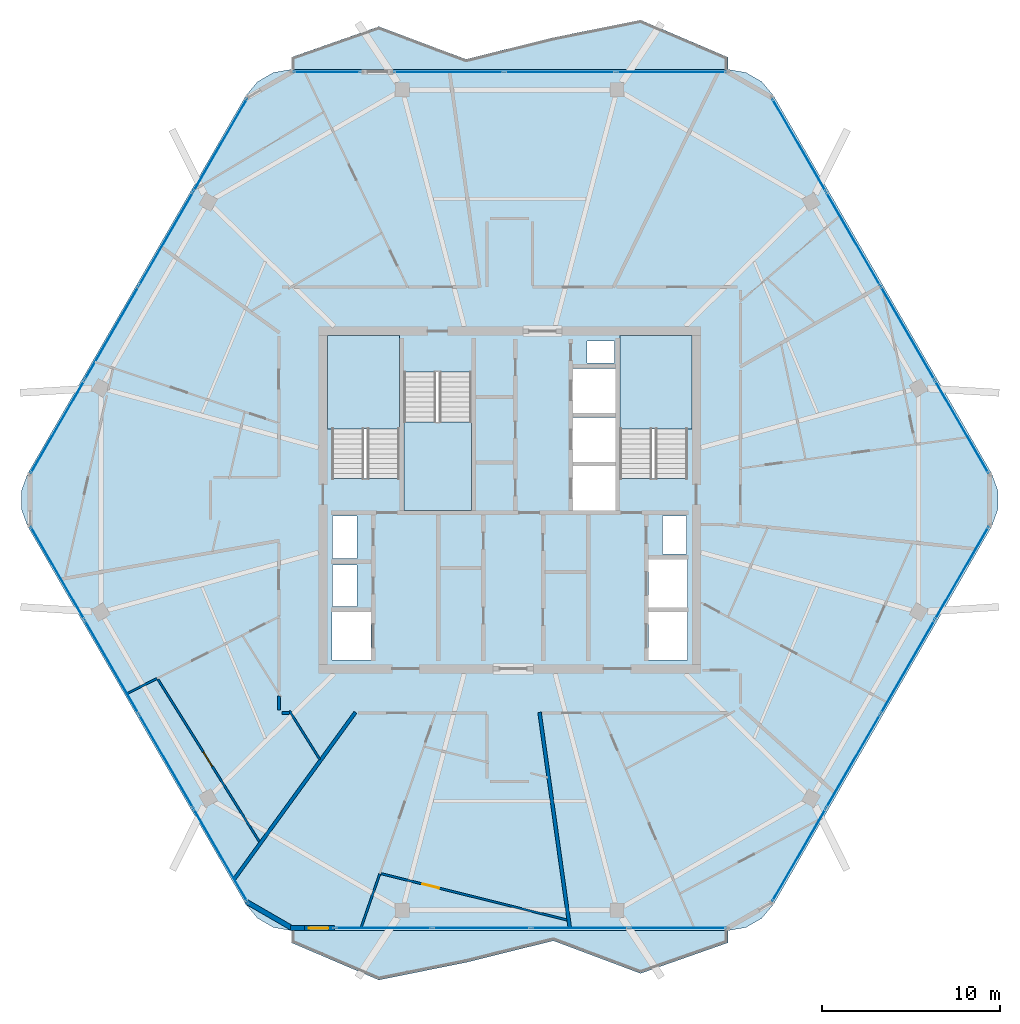
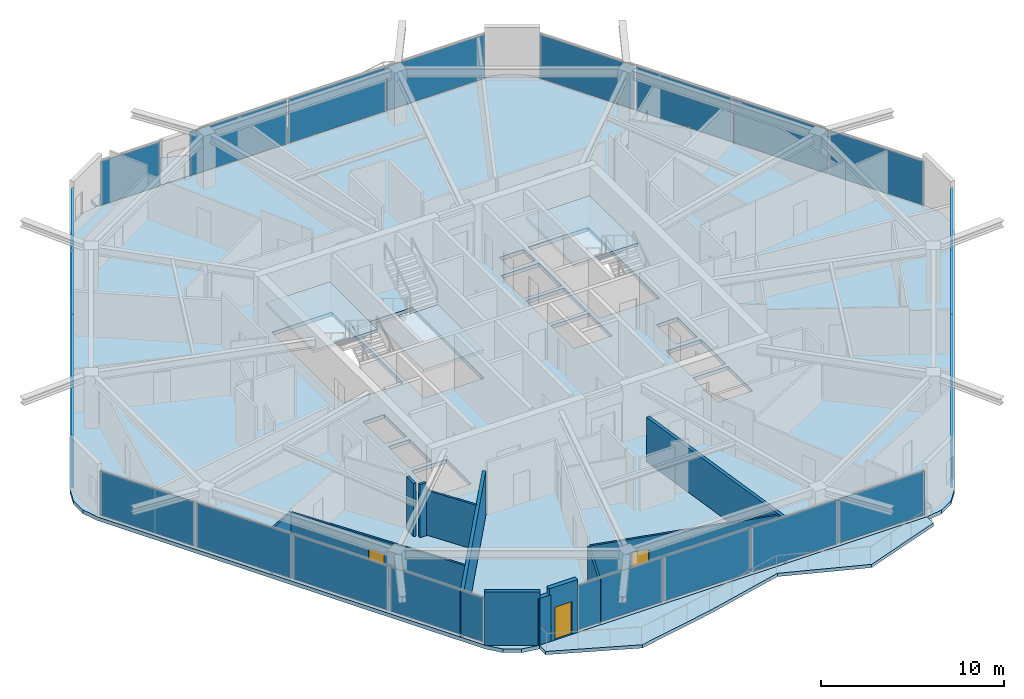
# One storey, part 13 of 20: 24 plates, 12 walls, 6 slabs, 3 doors, 3 openings, 10 elements without a shape of their own.
"""IFC4 building model written with IfcOpenShell, lengths in metres."""

from ifc_helpers import new_model, si_unit, direction, frame, frame_2d, origin, origin_2d, place, context, subcontext, project, spatial, polyline, rectangle, outline, extrude, material, layer, layer_set, type_object, element, fill, aggregate, save


model = new_model("IFC4")

# Units and contexts
model_context = context("Model", 3, precision=1e-05, world=origin(), true_north=direction((0.0, 1.0)))
body_context = subcontext(model_context, "Body", "Model", "MODEL_VIEW")
ifc_project = project(units=[si_unit("LENGTHUNIT", "METRE"), si_unit("AREAUNIT", "SQUARE_METRE"), si_unit("VOLUMEUNIT", "CUBIC_METRE"), si_unit("PLANEANGLEUNIT", "RADIAN"), si_unit("MASSUNIT", "GRAM", prefix="KILO")], contexts=[model_context])

# Site, building, storey
site_placement = place(None, origin())
site = spatial("IfcSite", under=ifc_project, at=site_placement, CompositionType="ELEMENT")
building_placement = place(site_placement, origin())
building = spatial("IfcBuilding", under=site, at=building_placement, Name="Zuhravey Tower", CompositionType="ELEMENT")
storey_placement = place(building_placement, frame((0.0, 0.0, 312.0)))
storey = spatial("IfcBuildingStorey", under=building, at=storey_placement, Name="L79", CompositionType="ELEMENT", Elevation=312.0)

# Slabs
ifc_material_1 = material(Name="Concrete C50/60", Category="concrete")
ifc_layer_1 = layer(ifc_material_1, 0.25)
ifc_layer_set_1 = layer_set([ifc_layer_1], Name="Concrete C50/60")
slab_type_1 = type_object("IfcSlabType", Name="Residential Acoustic Slab 250", PredefinedType="FLOOR", material=ifc_layer_set_1)
slab_1_placement = place(storey_placement, frame((0.0, 0.0, -0.25)))
element("IfcSlab", 1, at=slab_1_placement, inside=storey, type_object=slab_type_1, Name="L79 Floor Slab FS25", PredefinedType="FLOOR", context=body_context, shape_type="SweptSolid", body=[
    extrude(outline(polyline([(63.1083984375, 30.52490234375), (63.458740234375, 31.48779296875), (63.458740234375, 32.51220703125), (63.1083984375, 33.47509765625), (50.83154296875, 54.739013671875), (50.173095703125, 55.52392578125), (49.285888671875, 56.0361328125), (48.27685546875, 56.214111328125), (23.72314453125, 56.214111328125), (22.714111328125, 56.0361328125), (21.826904296875, 55.52392578125), (21.16845703125, 54.739013671875), (8.8916015625, 33.47509765625), (8.541259765625, 32.51220703125), (8.541259765625, 31.48779296875), (8.8916015625, 30.52490234375), (21.16845703125, 9.260986328125), (21.826904296875, 8.47607421875), (22.714111328125, 7.9638671875), (23.72314453125, 7.785888671875), (48.27685546875, 7.785888671875), (49.285888671875, 7.9638671875), (50.173095703125, 8.47607421875), (50.83154296875, 9.260986328125), (63.1083984375, 30.52490234375)]), holes=[polyline([(29.800048828125, 33.20068359375), (29.800048828125, 41.0), (26.0, 41.0), (26.0, 33.20068359375), (29.800048828125, 33.20068359375)]), polyline([(46.0, 33.20068359375), (46.0, 41.0), (42.199951171875, 41.0), (42.199951171875, 33.20068359375), (46.0, 33.20068359375)]), polyline([(30.050048828125, 39.199462890625), (30.050048828125, 31.39990234375), (33.85009765625, 31.39990234375), (33.85009765625, 39.199462890625), (30.050048828125, 39.199462890625)]), polyline([(39.550048828125, 31.39990234375), (41.949951171875, 31.39990234375), (41.949951171875, 33.89990234375), (39.550048828125, 33.89990234375), (39.550048828125, 31.39990234375)]), polyline([(39.550048828125, 34.14990234375), (41.949951171875, 34.14990234375), (41.949951171875, 36.64990234375), (39.550048828125, 36.64990234375), (39.550048828125, 34.14990234375)]), polyline([(39.550048828125, 36.89990234375), (41.949951171875, 36.89990234375), (41.949951171875, 39.39990234375), (39.550048828125, 39.39990234375), (39.550048828125, 36.89990234375)]), polyline([(26.0, 23.0), (28.199951171875, 23.0), (28.199951171875, 25.699951171875), (26.0, 25.699951171875), (26.0, 23.0)]), polyline([(43.800048828125, 23.0), (46.0, 23.0), (46.0, 25.699951171875), (43.800048828125, 25.699951171875), (43.800048828125, 23.0)]), polyline([(43.800048828125, 25.949951171875), (46.0, 25.949951171875), (46.0, 28.64990234375), (43.800048828125, 28.64990234375), (43.800048828125, 25.949951171875)]), polyline([(26.050048828125, 26.0), (27.39990234375, 26.0), (27.39990234375, 28.35009765625), (26.050048828125, 28.35009765625), (26.050048828125, 26.0)]), polyline([(26.050048828125, 28.699951171875), (27.39990234375, 28.699951171875), (27.39990234375, 31.10009765625), (26.050048828125, 31.10009765625), (26.050048828125, 28.699951171875)]), polyline([(44.60009765625, 28.949951171875), (45.949951171875, 28.949951171875), (45.949951171875, 31.10009765625), (44.60009765625, 31.10009765625), (44.60009765625, 28.949951171875)]), polyline([(40.35009765625, 39.699951171875), (41.89990234375, 39.699951171875), (41.89990234375, 40.949951171875), (40.35009765625, 40.949951171875), (40.35009765625, 39.699951171875)])]), origin(), (0.0, 0.0, 1.0), 0.25),
])
ifc_material_2 = material(Name="Concrete C40/50", Category="concrete")
ifc_layer_2 = layer(ifc_material_2, 0.219970703125)
ifc_layer_set_2 = layer_set([ifc_layer_2], Name="Concrete C40/50")
slab_type_2 = type_object("IfcSlabType", Name="Sinusoidal Residential Wave Balcony 220", PredefinedType="FLOOR", material=ifc_layer_set_2)
slab_2_placement = place(storey_placement, frame((0.0, 0.0, -0.219970703125)))
element("IfcSlab", 2, at=slab_2_placement, inside=storey, type_object=slab_type_2, Name="L79 Face 2 Wave Balcony WB22", PredefinedType="FLOOR", context=body_context, shape_type="SweptSolid", body=[
    extrude(outline(polyline([(48.268310546875, 56.19921875), (23.731689453125, 56.19921875), (23.731689453125, 56.899169921875), (28.63916015625, 58.62353515625), (33.54638671875, 56.7861328125), (38.45361328125, 58.0048828125), (43.36083984375, 58.9921875), (48.268310546875, 56.899169921875), (48.268310546875, 56.19921875)])), origin(), (0.0, 0.0, 1.0), 0.219970703125),
])
slab_3_placement = place(storey_placement, frame((0.0, 0.0, -0.219970703125)))
element("IfcSlab", 3, at=slab_3_placement, inside=storey, type_object=slab_type_2, Name="L79 Face 5 Wave Balcony WB22", PredefinedType="FLOOR", context=body_context, shape_type="SweptSolid", body=[
    extrude(outline(polyline([(23.731689453125, 7.80078125), (48.268310546875, 7.80078125), (48.268310546875, 7.100830078125), (43.36083984375, 5.37646484375), (38.45361328125, 7.2138671875), (33.54638671875, 5.9951171875), (28.63916015625, 5.0078125), (23.731689453125, 7.100830078125), (23.731689453125, 7.80078125)])), origin(), (0.0, 0.0, 1.0), 0.219970703125),
])

# Stair, slab
stair_type = type_object("IfcStairType", Name="Housing Storey Stair Assembly 3800", PredefinedType="HALF_TURN_STAIR", material=ifc_material_2)
stair_1_placement = place(storey_placement, origin())
stair_1 = element("IfcStair", 4, at=stair_1_placement, inside=storey, type_object=stair_type, Name="L79 Core Exit Stair ST1", PredefinedType="HALF_TURN_STAIR")
ifc_layer_3 = layer(ifc_material_2, 0.199951171875)
ifc_layer_set_3 = layer_set([ifc_layer_3], Name="Concrete C40/50")
slab_type_3 = type_object("IfcSlabType", Name="Stair Landing Slab 200", PredefinedType="LANDING", material=ifc_layer_set_3)
slab_4_placement = place(storey_placement, frame((0.0, 0.0, 1.699951171875)))
slab_4 = element("IfcSlab", 5, at=slab_4_placement, type_object=slab_type_3, Name="ST1 landing 1", PredefinedType="LANDING", context=body_context, shape_type="SweptSolid", body=[
    extrude(outline(polyline([(29.800048828125, 36.0), (29.800048828125, 41.248046875), (25.751953125, 41.248046875), (25.751953125, 36.0), (29.800048828125, 36.0)])), origin(), (0.0, 0.0, 1.0), 0.199951171875),
])
aggregate(stair_1, [slab_4])

stair_2_placement = place(storey_placement, origin())
stair_2 = element("IfcStair", 6, at=stair_2_placement, inside=storey, type_object=stair_type, Name="L79 Core Exit Stair ST2", PredefinedType="HALF_TURN_STAIR")
slab_5_placement = place(storey_placement, frame((0.0, 0.0, 1.699951171875)))
slab_5 = element("IfcSlab", 7, at=slab_5_placement, type_object=slab_type_3, Name="ST2 landing 1", PredefinedType="LANDING", context=body_context, shape_type="SweptSolid", body=[
    extrude(outline(polyline([(46.248046875, 36.0), (46.248046875, 41.248046875), (42.199951171875, 41.248046875), (42.199951171875, 36.0), (46.248046875, 36.0)])), origin(), (0.0, 0.0, 1.0), 0.199951171875),
])
aggregate(stair_2, [slab_5])

stair_3_placement = place(storey_placement, origin())
stair_3 = element("IfcStair", 8, at=stair_3_placement, inside=storey, type_object=stair_type, Name="L79 Core Exit Stair ST3", PredefinedType="HALF_TURN_STAIR")
slab_6_placement = place(storey_placement, frame((0.0, 0.0, 1.699951171875)))
slab_6 = element("IfcSlab", 9, at=slab_6_placement, type_object=slab_type_3, Name="ST3 landing 1", PredefinedType="LANDING", context=body_context, shape_type="SweptSolid", body=[
    extrude(outline(polyline([(30.050048828125, 36.39990234375), (30.050048828125, 31.39990234375), (33.85009765625, 31.39990234375), (33.85009765625, 36.39990234375), (30.050048828125, 36.39990234375)])), origin(), (0.0, 0.0, 1.0), 0.199951171875),
])
aggregate(stair_3, [slab_6])

# Curtain wall, plates
ifc_material_3 = material(Name="Thermally broken anodised aluminium", Category="aluminium")
curtain_wall_type = type_object("IfcCurtainWallType", Name="Zone 3-4 High-Rise Curtain Wall CW4", PredefinedType="NOTDEFINED", material=ifc_material_3)
curtain_wall_1_placement = place(storey_placement, origin())
curtain_wall_1 = element("IfcCurtainWall", 10, at=curtain_wall_1_placement, inside=storey, type_object=curtain_wall_type, Name="L79 CW4 CW-L79-F6-1", PredefinedType="NOTDEFINED")
ifc_material_4 = material(Name="Triple low-E insulated vision glass", Category="glass")
ifc_layer_4 = layer(ifc_material_4, 0.0419921875)
ifc_layer_set_4 = layer_set([ifc_layer_4], Name="Triple low-E insulated vision glass")
plate_type = type_object("IfcPlateType", Name="Triple Low-E Vision Panel", PredefinedType="CURTAIN_PANEL", material=ifc_layer_set_4)
plate_1_placement = place(storey_placement, frame((61.42724609375, 27.89306640625, 0.090087890625), z_axis=(0.0, 0.0, 1.0), x_axis=(-0.49999981336, -0.866025511541, 0.0)))
plate_1 = element("IfcPlate", 11, at=plate_1_placement, type_object=plate_type, Name="CW4 panel 1.1", PredefinedType="CURTAIN_PANEL", context=body_context, shape_type="SweptSolid", body=[
    extrude(rectangle(XDim=5.984619140625, YDim=0.0419921875, at=origin_2d()), origin(), (0.0, 0.0, 1.0), 2.94189453125),
])
plate_2_placement = place(storey_placement, frame((58.378662109375, 22.61279296875, 0.090087890625), z_axis=(0.0, 0.0, 1.0), x_axis=(-0.49999981336, -0.866025511541, 0.0)))
plate_2 = element("IfcPlate", 12, at=plate_2_placement, type_object=plate_type, Name="CW4 panel 2.1", PredefinedType="CURTAIN_PANEL", context=body_context, shape_type="SweptSolid", body=[
    extrude(rectangle(XDim=6.029541015625, YDim=0.0419921875, at=origin_2d()), origin(), (0.0, 0.0, 1.0), 2.94189453125),
])
plate_3_placement = place(storey_placement, frame((55.31884765625, 17.31298828125, 0.090087890625), z_axis=(0.0, 0.0, 1.0), x_axis=(-0.49999981336, -0.866025511541, 0.0)))
plate_3 = element("IfcPlate", 13, at=plate_3_placement, type_object=plate_type, Name="CW4 panel 3.1", PredefinedType="CURTAIN_PANEL", context=body_context, shape_type="SweptSolid", body=[
    extrude(rectangle(XDim=6.029541015625, YDim=0.0419921875, at=origin_2d()), origin(), (0.0, 0.0, 1.0), 2.94189453125),
])
plate_4_placement = place(storey_placement, frame((52.270263671875, 12.03271484375, 0.090087890625), z_axis=(0.0, 0.0, 1.0), x_axis=(-0.49999981336, -0.866025511541, 0.0)))
plate_4 = element("IfcPlate", 14, at=plate_4_placement, type_object=plate_type, Name="CW4 panel 4.1", PredefinedType="CURTAIN_PANEL", context=body_context, shape_type="SweptSolid", body=[
    extrude(rectangle(XDim=5.984619140625, YDim=0.0419921875, at=origin_2d()), origin(), (0.0, 0.0, 1.0), 2.94189453125),
])
aggregate(curtain_wall_1, [plate_1, plate_2, plate_3, plate_4])

curtain_wall_2_placement = place(storey_placement, origin())
curtain_wall_2 = element("IfcCurtainWall", 15, at=curtain_wall_2_placement, inside=storey, type_object=curtain_wall_type, Name="L79 CW4 CW-L79-F5-1", PredefinedType="NOTDEFINED")
plate_5_placement = place(storey_placement, frame((45.45068359375, 7.92578125, 0.090087890625), z_axis=(0.0, 0.0, 1.0), x_axis=(-1.0, 0.0, 0.0)))
plate_5 = element("IfcPlate", 16, at=plate_5_placement, type_object=plate_type, Name="CW4 panel 1.1", PredefinedType="CURTAIN_PANEL", context=body_context, shape_type="SweptSolid", body=[
    extrude(rectangle(XDim=5.397216796875, YDim=0.0419921875, at=origin_2d()), origin(), (0.0, 0.0, 1.0), 2.94189453125),
])
plate_6_placement = place(storey_placement, frame((39.941162109375, 7.92578125, 0.090087890625), z_axis=(0.0, 0.0, 1.0), x_axis=(-1.0, 0.0, 0.0)))
plate_6 = element("IfcPlate", 17, at=plate_6_placement, type_object=plate_type, Name="CW4 panel 2.1", PredefinedType="CURTAIN_PANEL", context=body_context, shape_type="SweptSolid", body=[
    extrude(rectangle(XDim=5.442138671875, YDim=0.0419921875, at=origin_2d()), origin(), (0.0, 0.0, 1.0), 2.94189453125),
])
plate_7_placement = place(storey_placement, frame((34.408935546875, 7.92578125, 0.090087890625), z_axis=(0.0, 0.0, 1.0), x_axis=(-1.0, 0.0, 0.0)))
plate_7 = element("IfcPlate", 18, at=plate_7_placement, type_object=plate_type, Name="CW4 panel 3.1", PredefinedType="CURTAIN_PANEL", context=body_context, shape_type="SweptSolid", body=[
    extrude(rectangle(XDim=5.442138671875, YDim=0.0419921875, at=origin_2d()), origin(), (0.0, 0.0, 1.0), 2.94189453125),
])
plate_8_placement = place(storey_placement, frame((28.899169921875, 7.92578125, 0.090087890625), z_axis=(0.0, 0.0, 1.0), x_axis=(-1.0, 0.0, 0.0)))
plate_8 = element("IfcPlate", 19, at=plate_8_placement, type_object=plate_type, Name="CW4 panel 4.1", PredefinedType="CURTAIN_PANEL", context=body_context, shape_type="SweptSolid", body=[
    extrude(rectangle(XDim=5.397216796875, YDim=0.0419921875, at=origin_2d()), origin(), (0.0, 0.0, 1.0), 2.94189453125),
])
aggregate(curtain_wall_2, [plate_5, plate_6, plate_7, plate_8])

curtain_wall_3_placement = place(storey_placement, origin())
curtain_wall_3 = element("IfcCurtainWall", 20, at=curtain_wall_3_placement, inside=storey, type_object=curtain_wall_type, Name="L79 CW4 CW-L79-F4-1", PredefinedType="NOTDEFINED")
plate_9_placement = place(storey_placement, frame((19.729736328125, 12.03271484375, 0.090087890625), z_axis=(0.0, 0.0, 1.0), x_axis=(-0.49999981336, 0.866025511541, 0.0)))
plate_9 = element("IfcPlate", 21, at=plate_9_placement, type_object=plate_type, Name="CW4 panel 1.1", PredefinedType="CURTAIN_PANEL", context=body_context, shape_type="SweptSolid", body=[
    extrude(rectangle(XDim=5.984619140625, YDim=0.0419921875, at=origin_2d()), origin(), (0.0, 0.0, 1.0), 2.94189453125),
])
plate_10_placement = place(storey_placement, frame((16.68115234375, 17.31298828125, 0.090087890625), z_axis=(0.0, 0.0, 1.0), x_axis=(-0.49999981336, 0.866025511541, 0.0)))
plate_10 = element("IfcPlate", 22, at=plate_10_placement, type_object=plate_type, Name="CW4 panel 2.1", PredefinedType="CURTAIN_PANEL", context=body_context, shape_type="SweptSolid", body=[
    extrude(rectangle(XDim=6.029541015625, YDim=0.0419921875, at=origin_2d()), origin(), (0.0, 0.0, 1.0), 2.94189453125),
])
plate_11_placement = place(storey_placement, frame((13.621337890625, 22.61279296875, 0.090087890625), z_axis=(0.0, 0.0, 1.0), x_axis=(-0.49999981336, 0.866025511541, 0.0)))
plate_11 = element("IfcPlate", 23, at=plate_11_placement, type_object=plate_type, Name="CW4 panel 3.1", PredefinedType="CURTAIN_PANEL", context=body_context, shape_type="SweptSolid", body=[
    extrude(rectangle(XDim=6.029541015625, YDim=0.0419921875, at=origin_2d()), origin(), (0.0, 0.0, 1.0), 2.94189453125),
])
plate_12_placement = place(storey_placement, frame((10.57275390625, 27.89306640625, 0.090087890625), z_axis=(0.0, 0.0, 1.0), x_axis=(-0.49999981336, 0.866025511541, 0.0)))
plate_12 = element("IfcPlate", 24, at=plate_12_placement, type_object=plate_type, Name="CW4 panel 4.1", PredefinedType="CURTAIN_PANEL", context=body_context, shape_type="SweptSolid", body=[
    extrude(rectangle(XDim=5.984619140625, YDim=0.0419921875, at=origin_2d()), origin(), (0.0, 0.0, 1.0), 2.94189453125),
])
aggregate(curtain_wall_3, [plate_9, plate_10, plate_11, plate_12])

curtain_wall_4_placement = place(storey_placement, origin())
curtain_wall_4 = element("IfcCurtainWall", 25, at=curtain_wall_4_placement, inside=storey, type_object=curtain_wall_type, Name="L79 CW4 CW-L79-F3-1", PredefinedType="NOTDEFINED")
plate_13_placement = place(storey_placement, frame((10.57275390625, 36.10693359375, 0.090087890625), z_axis=(0.0, 0.0, 1.0), x_axis=(0.49999981336, 0.866025511541, 0.0)))
plate_13 = element("IfcPlate", 26, at=plate_13_placement, type_object=plate_type, Name="CW4 panel 1.1", PredefinedType="CURTAIN_PANEL", context=body_context, shape_type="SweptSolid", body=[
    extrude(rectangle(XDim=5.984619140625, YDim=0.0419921875, at=origin_2d()), origin(), (0.0, 0.0, 1.0), 2.94189453125),
])
plate_14_placement = place(storey_placement, frame((13.621337890625, 41.38720703125, 0.090087890625), z_axis=(0.0, 0.0, 1.0), x_axis=(0.49999981336, 0.866025511541, 0.0)))
plate_14 = element("IfcPlate", 27, at=plate_14_placement, type_object=plate_type, Name="CW4 panel 2.1", PredefinedType="CURTAIN_PANEL", context=body_context, shape_type="SweptSolid", body=[
    extrude(rectangle(XDim=6.029541015625, YDim=0.0419921875, at=origin_2d()), origin(), (0.0, 0.0, 1.0), 2.94189453125),
])
plate_15_placement = place(storey_placement, frame((16.68115234375, 46.68701171875, 0.090087890625), z_axis=(0.0, 0.0, 1.0), x_axis=(0.49999981336, 0.866025511541, 0.0)))
plate_15 = element("IfcPlate", 28, at=plate_15_placement, type_object=plate_type, Name="CW4 panel 3.1", PredefinedType="CURTAIN_PANEL", context=body_context, shape_type="SweptSolid", body=[
    extrude(rectangle(XDim=6.029541015625, YDim=0.0419921875, at=origin_2d()), origin(), (0.0, 0.0, 1.0), 2.94189453125),
])
plate_16_placement = place(storey_placement, frame((19.729736328125, 51.96728515625, 0.090087890625), z_axis=(0.0, 0.0, 1.0), x_axis=(0.49999981336, 0.866025511541, 0.0)))
plate_16 = element("IfcPlate", 29, at=plate_16_placement, type_object=plate_type, Name="CW4 panel 4.1", PredefinedType="CURTAIN_PANEL", context=body_context, shape_type="SweptSolid", body=[
    extrude(rectangle(XDim=5.984619140625, YDim=0.0419921875, at=origin_2d()), origin(), (0.0, 0.0, 1.0), 2.94189453125),
])
aggregate(curtain_wall_4, [plate_13, plate_14, plate_15, plate_16])

# Curtain wall, plate
curtain_wall_5_placement = place(storey_placement, origin())
curtain_wall_5 = element("IfcCurtainWall", 30, at=curtain_wall_5_placement, inside=storey, type_object=curtain_wall_type, Name="L79 CW4 CW-L79-F2-1", PredefinedType="NOTDEFINED")
plate_17_placement = place(storey_placement, frame((25.73388671875, 56.07421875, 0.090087890625), z_axis=(0.0, 0.0, 1.0), x_axis=(1.0, 0.0, 0.0)))
plate_17 = element("IfcPlate", 31, at=plate_17_placement, type_object=plate_type, Name="CW4 panel 1.1", PredefinedType="CURTAIN_PANEL", context=body_context, shape_type="SweptSolid", body=[
    extrude(rectangle(XDim=3.7666015625, YDim=0.0419921875, at=origin_2d()), origin(), (0.0, 0.0, 1.0), 2.94189453125),
])
aggregate(curtain_wall_5, [plate_17])

# Curtain wall, plates
curtain_wall_6_placement = place(storey_placement, origin())
curtain_wall_6 = element("IfcCurtainWall", 32, at=curtain_wall_6_placement, inside=storey, type_object=curtain_wall_type, Name="L79 CW4 CW-L79-F2-2", PredefinedType="NOTDEFINED")
plate_18_placement = place(storey_placement, frame((32.568359375, 56.07421875, 0.090087890625), z_axis=(0.0, 0.0, 1.0), x_axis=(1.0, 0.0, 0.0)))
plate_18 = element("IfcPlate", 33, at=plate_18_placement, type_object=plate_type, Name="CW4 panel 1.1", PredefinedType="CURTAIN_PANEL", context=body_context, shape_type="SweptSolid", body=[
    extrude(rectangle(XDim=6.142333984375, YDim=0.0419921875, at=origin_2d()), origin(), (0.0, 0.0, 1.0), 2.94189453125),
])
plate_19_placement = place(storey_placement, frame((38.8232421875, 56.07421875, 0.090087890625), z_axis=(0.0, 0.0, 1.0), x_axis=(1.0, 0.0, 0.0)))
plate_19 = element("IfcPlate", 34, at=plate_19_placement, type_object=plate_type, Name="CW4 panel 2.1", PredefinedType="CURTAIN_PANEL", context=body_context, shape_type="SweptSolid", body=[
    extrude(rectangle(XDim=6.187255859375, YDim=0.0419921875, at=origin_2d()), origin(), (0.0, 0.0, 1.0), 2.94189453125),
])
plate_20_placement = place(storey_placement, frame((45.078125, 56.07421875, 0.090087890625), z_axis=(0.0, 0.0, 1.0), x_axis=(1.0, 0.0, 0.0)))
plate_20 = element("IfcPlate", 35, at=plate_20_placement, type_object=plate_type, Name="CW4 panel 3.1", PredefinedType="CURTAIN_PANEL", context=body_context, shape_type="SweptSolid", body=[
    extrude(rectangle(XDim=6.142333984375, YDim=0.0419921875, at=origin_2d()), origin(), (0.0, 0.0, 1.0), 2.94189453125),
])
aggregate(curtain_wall_6, [plate_18, plate_19, plate_20])

curtain_wall_7_placement = place(storey_placement, origin())
curtain_wall_7 = element("IfcCurtainWall", 36, at=curtain_wall_7_placement, inside=storey, type_object=curtain_wall_type, Name="L79 CW4 CW-L79-F1-1", PredefinedType="NOTDEFINED")
plate_21_placement = place(storey_placement, frame((52.270263671875, 51.96728515625, 0.090087890625), z_axis=(0.0, 0.0, 1.0), x_axis=(0.49999981336, -0.866025511541, 0.0)))
plate_21 = element("IfcPlate", 37, at=plate_21_placement, type_object=plate_type, Name="CW4 panel 1.1", PredefinedType="CURTAIN_PANEL", context=body_context, shape_type="SweptSolid", body=[
    extrude(rectangle(XDim=5.984619140625, YDim=0.0419921875, at=origin_2d()), origin(), (0.0, 0.0, 1.0), 2.94189453125),
])
plate_22_placement = place(storey_placement, frame((55.31884765625, 46.68701171875, 0.090087890625), z_axis=(0.0, 0.0, 1.0), x_axis=(0.49999981336, -0.866025511541, 0.0)))
plate_22 = element("IfcPlate", 38, at=plate_22_placement, type_object=plate_type, Name="CW4 panel 2.1", PredefinedType="CURTAIN_PANEL", context=body_context, shape_type="SweptSolid", body=[
    extrude(rectangle(XDim=6.029541015625, YDim=0.0419921875, at=origin_2d()), origin(), (0.0, 0.0, 1.0), 2.94189453125),
])
plate_23_placement = place(storey_placement, frame((58.378662109375, 41.38720703125, 0.090087890625), z_axis=(0.0, 0.0, 1.0), x_axis=(0.49999981336, -0.866025511541, 0.0)))
plate_23 = element("IfcPlate", 39, at=plate_23_placement, type_object=plate_type, Name="CW4 panel 3.1", PredefinedType="CURTAIN_PANEL", context=body_context, shape_type="SweptSolid", body=[
    extrude(rectangle(XDim=6.029541015625, YDim=0.0419921875, at=origin_2d()), origin(), (0.0, 0.0, 1.0), 2.94189453125),
])
plate_24_placement = place(storey_placement, frame((61.42724609375, 36.10693359375, 0.090087890625), z_axis=(0.0, 0.0, 1.0), x_axis=(0.49999981336, -0.866025511541, 0.0)))
plate_24 = element("IfcPlate", 40, at=plate_24_placement, type_object=plate_type, Name="CW4 panel 4.1", PredefinedType="CURTAIN_PANEL", context=body_context, shape_type="SweptSolid", body=[
    extrude(rectangle(XDim=5.984619140625, YDim=0.0419921875, at=origin_2d()), origin(), (0.0, 0.0, 1.0), 2.94189453125),
])
aggregate(curtain_wall_7, [plate_21, plate_22, plate_23, plate_24])

# Walls
ifc_material_5 = material(Name="Gypsum fire-rated stud partition")
ifc_layer_5 = layer(ifc_material_5, 0.159912109375)
ifc_layer_set_5 = layer_set([ifc_layer_5], Name="Gypsum fire-rated stud partition")
wall_type_1 = type_object("IfcWallType", Name="Corridor Fire Partition 160", PredefinedType="PARTITIONING", material=ifc_layer_set_5)
wall_1_placement = place(storey_placement, frame((23.02001953125, 20.9677734375, 0.0), z_axis=(0.0, 0.0, 1.0), x_axis=(0.0, -1.0, 0.0)))
element("IfcWall", 41, at=wall_1_placement, inside=storey, type_object=wall_type_1, Name="L79 IW16 Partition 101", PredefinedType="PARTITIONING", context=body_context, shape_type="SweptSolid", body=[
    extrude(rectangle(XDim=0.767822265625, YDim=0.159912109375, at=frame_2d((0.3837890625, 0.0))), origin(), (0.0, 0.0, 1.0), 3.550048828125),
])
wall_2_placement = place(storey_placement, frame((23.199951171875, 20.02001953125, 0.0), z_axis=(0.0, 0.0, 1.0), x_axis=(1.0, 0.0, 0.0)))
element("IfcWall", 42, at=wall_2_placement, inside=storey, type_object=wall_type_1, Name="L79 IW16 Partition 102", PredefinedType="PARTITIONING", context=body_context, shape_type="SweptSolid", body=[
    extrude(rectangle(XDim=0.412353515625, YDim=0.159912109375, at=frame_2d((0.2060546875, 0.0))), origin(), (0.0, 0.0, 1.0), 3.550048828125),
])

# Wall, opening, door
ifc_material_6 = material(Name="Precast concrete C40/50", Category="concrete")
ifc_layer_6 = layer(ifc_material_6, 0.280029296875)
ifc_layer_set_6 = layer_set([ifc_layer_6], Name="Precast concrete C40/50")
wall_type_2 = type_object("IfcWallType", Name="Crown Architectural Wall 280", PredefinedType="SOLIDWALL", material=ifc_layer_set_6)
wall_3_placement = place(storey_placement, frame((26.15576171875, 7.92578125, 0.0), z_axis=(0.0, 0.0, 1.0), x_axis=(-1.0, 0.0, 0.0)))
wall_3 = element("IfcWall", 43, at=wall_3_placement, inside=storey, type_object=wall_type_2, Name="L79 Face 5 Facade Pier EW28-1", PredefinedType="SOLIDWALL", context=body_context, shape_type="SweptSolid", body=[
    extrude(rectangle(XDim=1.7900390625, YDim=0.280029296875, at=frame_2d((0.89501953125, 0.0))), origin(), (0.0, 0.0, 1.0), 3.550048828125),
])
opening_1_placement = place(wall_3_placement, frame((0.344970703125, 0.0, 0.0)))
opening_1 = element("IfcOpeningElement", 44, at=opening_1_placement, cuts=wall_3, Name="Opening BLD1", PredefinedType="OPENING", context=body_context, shape_type="SweptSolid", body=[
    extrude(rectangle(XDim=1.10009765625, YDim=2.199951171875, at=frame_2d((0.550048828125, 1.10009765625))), frame((0.0, 0.152099609375, 0.0), z_axis=(0.0, -1.0, 0.0), x_axis=(1.0, 0.0, 0.0)), (0.0, 0.0, 1.0), 0.303955078125),
])
ifc_material_7 = material(Name="Thermally broken aluminium and low-E glass", Category="aluminium")
door_type_1 = type_object("IfcDoorType", Name="Balcony & Sky-Tray Glazed Door 1100x2200", OperationType="NOTDEFINED", PredefinedType="DOOR", material=ifc_material_7)
door_1_placement = place(opening_1_placement, frame((1.10009765625, 0.0, 0.0), z_axis=(0.0, 0.0, 1.0), x_axis=(-1.0, 0.0, 0.0)))
door_1 = element("IfcDoor", 45, at=door_1_placement, inside=storey, type_object=door_type_1, Name="L79 Face 5 Wave Balcony Door", OperationType="SINGLE_SWING_LEFT", OverallHeight=2.199951171875, OverallWidth=1.10009765625, PredefinedType="DOOR", context=body_context, shape_type="SweptSolid", body=[
    extrude(rectangle(XDim=1.10009765625, YDim=2.199951171875, at=frame_2d((0.550048828125, 1.10009765625))), frame((0.0, 0.02490234375, 0.0), z_axis=(0.0, -1.0, 0.0), x_axis=(1.0, 0.0, 0.0)), (0.0, 0.0, 1.0), 0.050048828125),
])
fill(opening_1, door_1)

# Walls
wall_4_placement = place(storey_placement, frame((24.455810546875, 7.92578125, 0.0), z_axis=(0.0, 0.0, 1.0), x_axis=(-1.0, 0.0, 0.0)))
element("IfcWall", 46, at=wall_4_placement, inside=storey, type_object=wall_type_2, Name="L79 Face 5 Closure Pier EW28", PredefinedType="SOLIDWALL", context=body_context, shape_type="SweptSolid", body=[
    extrude(rectangle(XDim=0.7900390625, YDim=0.280029296875, at=frame_2d((0.39501953125, 0.0))), origin(), (0.0, 0.0, 1.0), 3.1220703125),
])
wall_5_placement = place(storey_placement, frame((23.843017578125, 7.87841796875, 0.0), z_axis=(0.0, 0.0, 1.0), x_axis=(-0.866023752521, 0.50000286006, 0.0)))
element("IfcWall", 47, at=wall_5_placement, inside=storey, type_object=wall_type_2, Name="L79 Rounded Corner Closure Wall EW28-04", PredefinedType="SOLIDWALL", context=body_context, shape_type="SweptSolid", body=[
    extrude(rectangle(XDim=3.06494140625, YDim=0.280029296875, at=frame_2d((1.532470703125, 0.0))), origin(), (0.0, 0.0, 1.0), 3.550048828125),
])
ifc_material_8 = material(Name="Gypsum double-stud party assembly")
ifc_layer_7 = layer(ifc_material_8, 0.199951171875)
ifc_layer_set_7 = layer_set([ifc_layer_7], Name="Gypsum double-stud party assembly")
wall_type_3 = type_object("IfcWallType", Name="Inter-Tenancy Party Wall 200", PredefinedType="PARTITIONING", material=ifc_layer_set_7)
wall_6_placement = place(storey_placement, frame((27.3251953125, 20.06005859375, 0.0), z_axis=(0.0, 0.0, 1.0), x_axis=(-0.587784737056, -0.809017368716, 0.0)))
element("IfcWall", 48, at=wall_6_placement, inside=storey, type_object=wall_type_3, Name="L79 IW20 Partition 074", PredefinedType="PARTITIONING", context=body_context, shape_type="SweptSolid", body=[
    extrude(rectangle(XDim=11.59375, YDim=0.199951171875, at=frame_2d((5.796875, 0.0))), origin(), (0.0, 0.0, 1.0), 2.969970703125),
])
wall_7_placement = place(storey_placement, frame((37.677978515625, 20.06005859375, 0.0), z_axis=(0.0, 0.0, 1.0), x_axis=(0.139169963781, -0.990268509638, 0.0)))
element("IfcWall", 49, at=wall_7_placement, inside=storey, type_object=wall_type_3, Name="L79 IW20 Partition 079", PredefinedType="PARTITIONING", context=body_context, shape_type="SweptSolid", body=[
    extrude(rectangle(XDim=12.25341796875, YDim=0.199951171875, at=frame_2d((6.126708984375, 0.0))), origin(), (0.0, 0.0, 1.0), 2.969970703125),
])

# Wall, opening, door
ifc_material_9 = material(Name="Gypsum metal-stud partition")
ifc_layer_8 = layer(ifc_material_9, 0.1201171875)
ifc_layer_set_8 = layer_set([ifc_layer_8], Name="Gypsum metal-stud partition")
wall_type_4 = type_object("IfcWallType", Name="Unit Internal Partition 120", PredefinedType="PARTITIONING", material=ifc_layer_set_8)
wall_8_placement = place(storey_placement, frame((16.219970703125, 21.914794921875, 0.0), z_axis=(0.0, 0.0, 1.0), x_axis=(0.529909111027, -0.8480544405, 0.0)))
wall_8 = element("IfcWall", 50, at=wall_8_placement, inside=storey, type_object=wall_type_4, Name="L79 IW12 Partition 030", PredefinedType="PARTITIONING", context=body_context, shape_type="SweptSolid", body=[
    extrude(rectangle(XDim=10.74951171875, YDim=0.1201171875, at=frame_2d((5.374755859375, 0.0))), origin(), (0.0, 0.0, 1.0), 2.969970703125),
])
opening_2_placement = place(wall_8_placement, frame((4.8154296875, 0.0, 0.0)))
opening_2 = element("IfcOpeningElement", 51, at=opening_2_placement, cuts=wall_8, Name="Opening IND1", PredefinedType="OPENING", context=body_context, shape_type="SweptSolid", body=[
    extrude(rectangle(XDim=0.949951171875, YDim=2.10009765625, at=frame_2d((0.47509765625, 1.050048828125))), frame((0.0, 0.072021484375, 0.0), z_axis=(0.0, -1.0, 0.0), x_axis=(1.0, 0.0, 0.0)), (0.0, 0.0, 1.0), 0.14404296875),
])
ifc_material_10 = material(Name="Painted engineered timber leaf", Category="wood")
door_type_2 = type_object("IfcDoorType", Name="Internal Room & Bedroom Door 950x2100", OperationType="NOTDEFINED", PredefinedType="DOOR", material=ifc_material_10)
door_2_placement = place(opening_2_placement, frame((0.949951171875, 0.0, 0.0), z_axis=(0.0, 0.0, 1.0), x_axis=(-1.0, 0.0, 0.0)))
door_2 = element("IfcDoor", 52, at=door_2_placement, inside=storey, type_object=door_type_2, Name="Apartment L79-03 Bedroom 1 Door", OperationType="SINGLE_SWING_RIGHT", OverallHeight=2.10009765625, OverallWidth=0.949951171875, PredefinedType="DOOR", context=body_context, shape_type="SweptSolid", body=[
    extrude(rectangle(XDim=0.949951171875, YDim=2.10009765625, at=frame_2d((0.47509765625, 1.050048828125))), frame((0.0, 0.02490234375, 0.0), z_axis=(0.0, -1.0, 0.0), x_axis=(1.0, 0.0, 0.0)), (0.0, 0.0, 1.0), 0.050048828125),
])
fill(opening_2, door_2)

wall_9_placement = place(storey_placement, frame((28.770751953125, 10.986572265625, 0.0), z_axis=(0.0, 0.0, 1.0), x_axis=(0.970295811895, -0.241921552202, 0.0)))
wall_9 = element("IfcWall", 53, at=wall_9_placement, inside=storey, type_object=wall_type_4, Name="L79 IW12 Partition 034", PredefinedType="PARTITIONING", context=body_context, shape_type="SweptSolid", body=[
    extrude(rectangle(XDim=10.7587890625, YDim=0.1201171875, at=frame_2d((5.37939453125, 0.0))), origin(), (0.0, 0.0, 1.0), 2.969970703125),
])
opening_3_placement = place(wall_9_placement, frame((2.39990234375, 0.0, 0.0)))
opening_3 = element("IfcOpeningElement", 54, at=opening_3_placement, cuts=wall_9, Name="Opening IND1", PredefinedType="OPENING", context=body_context, shape_type="SweptSolid", body=[
    extrude(rectangle(XDim=0.949951171875, YDim=2.10009765625, at=frame_2d((0.47509765625, 1.050048828125))), frame((0.0, 0.072021484375, 0.0), z_axis=(0.0, -1.0, 0.0), x_axis=(1.0, 0.0, 0.0)), (0.0, 0.0, 1.0), 0.14404296875),
])
door_3_placement = place(opening_3_placement, frame((0.949951171875, 0.0, 0.0), z_axis=(0.0, 0.0, 1.0), x_axis=(-1.0, 0.0, 0.0)))
door_3 = element("IfcDoor", 55, at=door_3_placement, inside=storey, type_object=door_type_2, Name="Apartment L79-04 Bedroom 1 Door", OperationType="SINGLE_SWING_RIGHT", OverallHeight=2.10009765625, OverallWidth=0.949951171875, PredefinedType="DOOR", context=body_context, shape_type="SweptSolid", body=[
    extrude(rectangle(XDim=0.949951171875, YDim=2.10009765625, at=frame_2d((0.47509765625, 1.050048828125))), frame((0.0, 0.02490234375, 0.0), z_axis=(0.0, -1.0, 0.0), x_axis=(1.0, 0.0, 0.0)), (0.0, 0.0, 1.0), 0.050048828125),
])
fill(opening_3, door_3)

# Walls
wall_10_placement = place(storey_placement, frame((16.161376953125, 21.96142578125, 0.0), z_axis=(0.0, 0.0, 1.0), x_axis=(-0.892263035208, -0.451515975356, 0.0)))
element("IfcWall", 56, at=wall_10_placement, inside=storey, type_object=wall_type_4, Name="L79 IW12 Partition 071", PredefinedType="PARTITIONING", context=body_context, shape_type="SweptSolid", body=[
    extrude(rectangle(XDim=1.881591796875, YDim=0.1201171875, at=frame_2d((0.94091796875, 0.0))), origin(), (0.0, 0.0, 1.0), 2.969970703125),
])
wall_11_placement = place(storey_placement, frame((23.617431640625, 20.139892578125, 0.0), z_axis=(0.0, 0.0, 1.0), x_axis=(0.529937667558, -0.848036596205, 0.0)))
element("IfcWall", 57, at=wall_11_placement, inside=storey, type_object=wall_type_4, Name="L79 IW12 Partition 073", PredefinedType="PARTITIONING", context=body_context, shape_type="SweptSolid", body=[
    extrude(rectangle(XDim=3.223388671875, YDim=0.1201171875, at=frame_2d((1.61181640625, 0.0))), origin(), (0.0, 0.0, 1.0), 3.0),
])
wall_12_placement = place(storey_placement, frame((28.6962890625, 10.9794921875, 0.0), z_axis=(0.0, 0.0, 1.0), x_axis=(-0.328219248411, -0.944601569432, 0.0)))
element("IfcWall", 58, at=wall_12_placement, inside=storey, type_object=wall_type_4, Name="L79 IW12 Partition 076", PredefinedType="PARTITIONING", context=body_context, shape_type="SweptSolid", body=[
    extrude(rectangle(XDim=3.236328125, YDim=0.1201171875, at=frame_2d((1.6181640625, 0.0))), origin(), (0.0, 0.0, 1.0), 2.969970703125),
])

save(model, "model.ifc")
